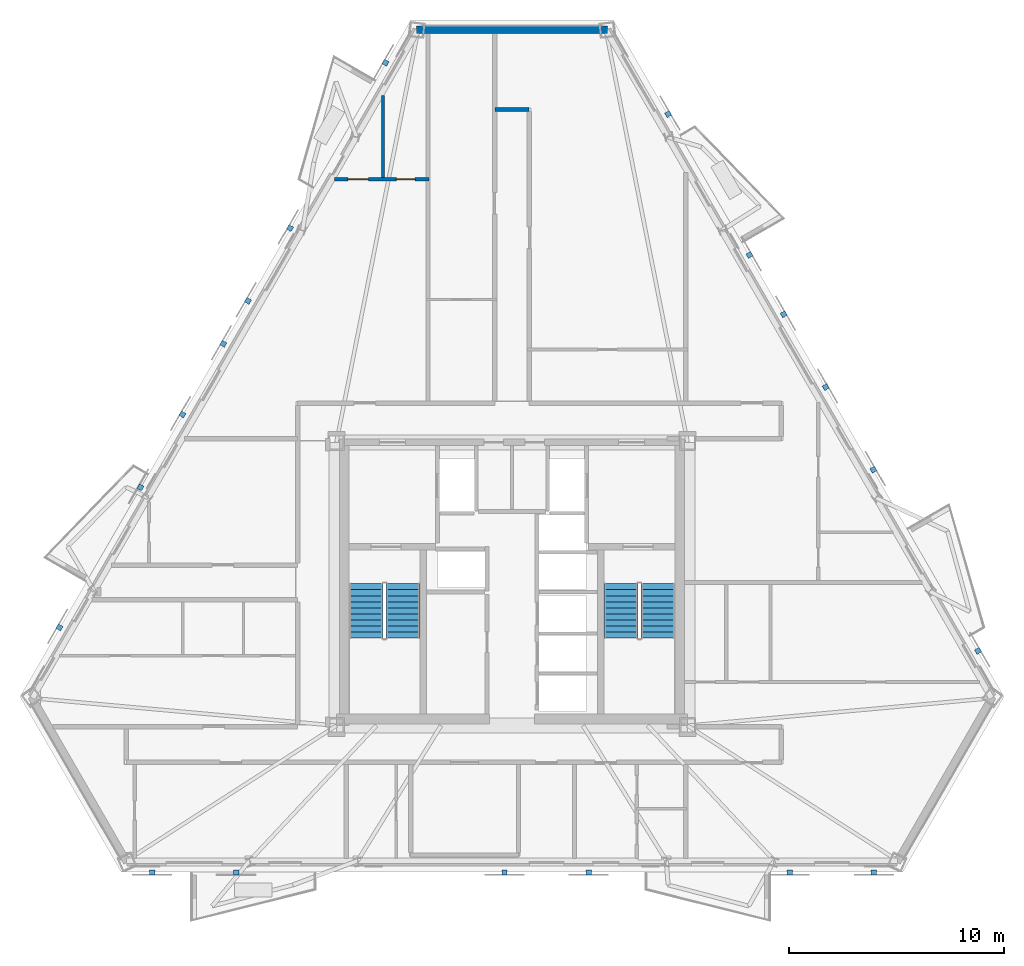
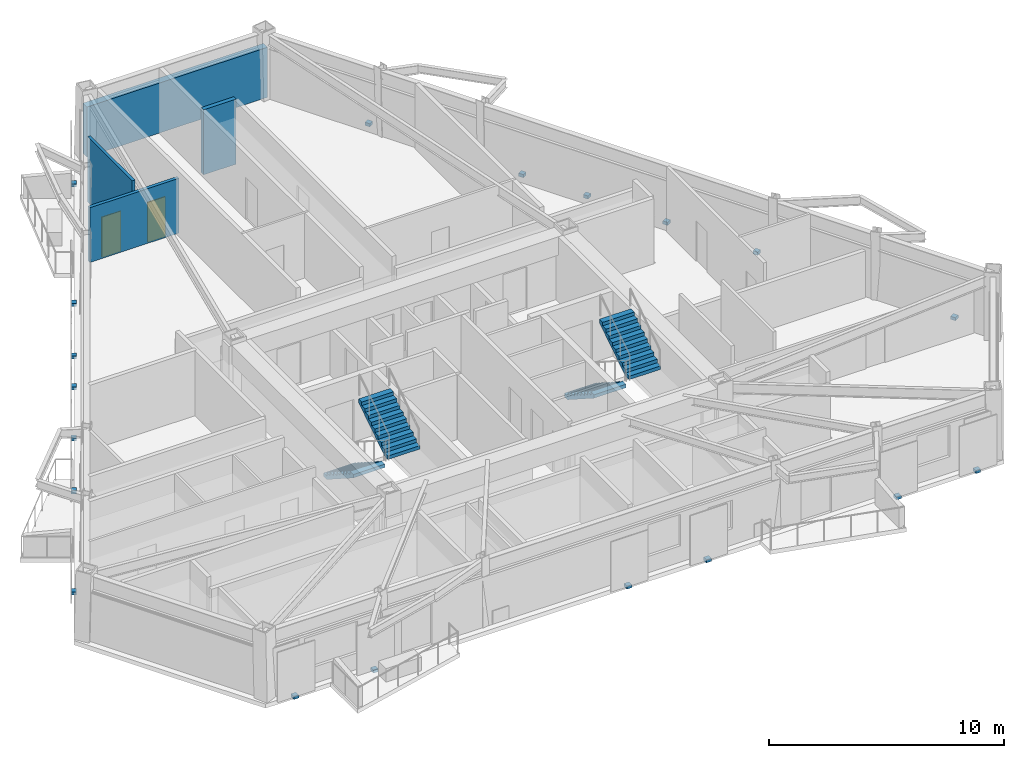
# One storey, part 6 of 9: 19 discrete accessories, 4 stair flights, 4 walls, 2 doors, 2 openings, 2 elements without a shape of their own.
"""IFC4 building model written with IfcOpenShell, lengths in metres."""

from ifc_helpers import new_model, si_unit, direction, frame, frame_2d, origin, origin_2d, place, context, subcontext, project, spatial, polyline, rectangle, outline, extrude, material, layer, layer_set, type_object, element, fill, aggregate, save


model = new_model("IFC4")

# Units and contexts
model_context = context("Model", 3, precision=1e-05, world=origin(), true_north=direction((0.0, 1.0)))
body_context = subcontext(model_context, "Body", "Model", "MODEL_VIEW")
ifc_project = project(units=[si_unit("LENGTHUNIT", "METRE"), si_unit("AREAUNIT", "SQUARE_METRE"), si_unit("VOLUMEUNIT", "CUBIC_METRE"), si_unit("PLANEANGLEUNIT", "RADIAN"), si_unit("MASSUNIT", "GRAM", prefix="KILO")], contexts=[model_context])

# Site, building, storey
site_placement = place(None, origin())
site = spatial("IfcSite", under=ifc_project, at=site_placement, CompositionType="ELEMENT")
building_placement = place(site_placement, origin())
building = spatial("IfcBuilding", under=site, at=building_placement, Name="Oramaril Tower", CompositionType="ELEMENT")
storey_placement = place(building_placement, frame((0.0, 0.0, 163.800048828125)))
storey = spatial("IfcBuildingStorey", under=building, at=storey_placement, Name="L43", CompositionType="ELEMENT", Elevation=163.800048828125)

# Walls
ifc_material_1 = material(Name="Warm Cream Limestone", Category="masonry")
ifc_layer_1 = layer(ifc_material_1, 0.340087890625)
ifc_layer_set_1 = layer_set([ifc_layer_1], Name="WT-EXT34")
wall_type_1 = type_object("IfcWallType", Name="WT-EXT34", PredefinedType="SOLIDWALL", material=ifc_layer_set_1)
wall_1_placement = place(storey_placement, frame((41.935302734375, 43.2939453125, 0.0), z_axis=(0.0, 0.0, 1.0), x_axis=(-1.0, 0.0, 0.0)))
element("IfcWall", 1, at=wall_1_placement, inside=storey, type_object=wall_type_1, Name="L43 Tower Limestone Facade Wall 5M", PredefinedType="SOLIDWALL", context=body_context, shape_type="SweptSolid", body=[
    extrude(rectangle(XDim=8.87060546875, YDim=0.340087890625, at=frame_2d((4.435302734375, 0.0))), origin(), (0.0, 0.0, 1.0), 2.599853515625),
])
ifc_material_2 = material(Name="Acoustic Gypsum Board Partition")
ifc_layer_2 = layer(ifc_material_2, 0.139892578125)
ifc_layer_set_2 = layer_set([ifc_layer_2], Name="WT-PT14")
wall_type_2 = type_object("IfcWallType", Name="WT-PT14", PredefinedType="PARTITIONING", material=ifc_layer_set_2)
wall_2_placement = place(storey_placement, frame((31.510009765625, 36.4541015625, 0.0), z_axis=(0.0, 0.0, 1.0), x_axis=(0.0, 1.0, 0.0)))
element("IfcWall", 2, at=wall_2_placement, inside=storey, type_object=wall_type_2, Name="L43 Interior Partition PT-14", PredefinedType="PARTITIONING", context=body_context, shape_type="SweptSolid", body=[
    extrude(rectangle(XDim=3.798828125, YDim=0.139892578125, at=frame_2d((1.8994140625, 0.0))), origin(), (0.0, 0.0, 1.0), 3.3798828125),
])

# Wall, openings, doors
ifc_material_3 = material(Name="Acoustic Gypsum Board Partition")
ifc_layer_3 = layer(ifc_material_3, 0.159912109375)
ifc_layer_set_3 = layer_set([ifc_layer_3], Name="WT-PT16")
wall_type_3 = type_object("IfcWallType", Name="WT-PT16", PredefinedType="PARTITIONING", material=ifc_layer_set_3)
wall_3_placement = place(storey_placement, frame((29.26806640625, 36.3701171875, 0.0), z_axis=(0.0, 0.0, 1.0), x_axis=(1.0, 0.0, 0.0)))
wall_3 = element("IfcWall", 3, at=wall_3_placement, inside=storey, type_object=wall_type_3, Name="L43 Interior Partition PT-16", PredefinedType="PARTITIONING", context=body_context, shape_type="SweptSolid", body=[
    extrude(rectangle(XDim=4.3818359375, YDim=0.159912109375, at=frame_2d((2.19091796875, 0.0))), origin(), (0.0, 0.0, 1.0), 2.842041015625),
])
opening_1_placement = place(wall_3_placement, frame((0.615234375, 0.0, 0.0)))
opening_1 = element("IfcOpeningElement", 4, at=opening_1_placement, cuts=wall_3, Name="Opening D-L43-18", PredefinedType="OPENING", context=body_context, shape_type="SweptSolid", body=[
    extrude(rectangle(XDim=0.949951171875, YDim=2.10009765625, at=frame_2d((0.47509765625, 1.050048828125))), frame((0.0, 0.080078125, 0.0), z_axis=(0.0, -1.0, 0.0), x_axis=(1.0, 0.0, 0.0)), (0.0, 0.0, 1.0), 0.159912109375),
])
opening_2_placement = place(wall_3_placement, frame((2.86083984375, 0.0, 0.0)))
opening_2 = element("IfcOpeningElement", 5, at=opening_2_placement, cuts=wall_3, Name="Opening D-L43-19", PredefinedType="OPENING", context=body_context, shape_type="SweptSolid", body=[
    extrude(rectangle(XDim=0.8798828125, YDim=2.080078125, at=frame_2d((0.43994140625, 1.0400390625))), frame((0.0, 0.080078125, 0.0), z_axis=(0.0, -1.0, 0.0), x_axis=(1.0, 0.0, 0.0)), (0.0, 0.0, 1.0), 0.159912109375),
])
ifc_material_4 = material(Name="FSC Brazilian Freijo Hardwood", Category="wood")
door_type_1 = type_object("IfcDoorType", Name="DT-BATH", OperationType="NOTDEFINED", PredefinedType="DOOR", material=ifc_material_4)
door_1_placement = place(opening_2_placement, origin())
door_1 = element("IfcDoor", 6, at=door_1_placement, inside=storey, type_object=door_type_1, Name="L43 Flat L43-U8 Bathroom Door D-L43-19", OperationType="SINGLE_SWING_LEFT", OverallHeight=2.080078125, OverallWidth=0.8798828125, PredefinedType="DOOR", context=body_context, shape_type="SweptSolid", body=[
    extrude(rectangle(XDim=0.8798828125, YDim=2.080078125, at=frame_2d((0.43994140625, 1.0400390625))), frame((0.0, 0.02490234375, 0.0), z_axis=(0.0, -1.0, 0.0), x_axis=(1.0, 0.0, 0.0)), (0.0, 0.0, 1.0), 0.050048828125),
])
fill(opening_2, door_1)
ifc_material_5 = material(Name="FSC Brazilian Freijo Hardwood", Category="wood")
door_type_2 = type_object("IfcDoorType", Name="DT-STDY", OperationType="NOTDEFINED", PredefinedType="DOOR", material=ifc_material_5)
door_2_placement = place(opening_1_placement, origin())
door_2 = element("IfcDoor", 7, at=door_2_placement, inside=storey, type_object=door_type_2, Name="L43 Flat L43-U8 Kitchen Door D-L43-18", OperationType="SINGLE_SWING_RIGHT", OverallHeight=2.10009765625, OverallWidth=0.949951171875, PredefinedType="DOOR", context=body_context, shape_type="SweptSolid", body=[
    extrude(rectangle(XDim=0.949951171875, YDim=2.10009765625, at=frame_2d((0.47509765625, 1.050048828125))), frame((0.0, 0.02490234375, 0.0), z_axis=(0.0, -1.0, 0.0), x_axis=(1.0, 0.0, 0.0)), (0.0, 0.0, 1.0), 0.050048828125),
])
fill(opening_1, door_2)

# Wall
ifc_material_6 = material(Name="Autoclaved Cellular Concrete Block", Category="concrete")
ifc_layer_4 = layer(ifc_material_6, 0.199951171875)
ifc_layer_set_4 = layer_set([ifc_layer_4], Name="WT-PT20")
wall_type_4 = type_object("IfcWallType", Name="WT-PT20", PredefinedType="PARTITIONING", material=ifc_layer_set_4)
wall_4_placement = place(storey_placement, frame((36.699951171875, 39.60009765625, 0.0), z_axis=(0.0, 0.0, 1.0), x_axis=(1.0, 0.0, 0.0)))
element("IfcWall", 8, at=wall_4_placement, inside=storey, type_object=wall_type_4, Name="L43 Interior Partition PT-20", PredefinedType="PARTITIONING", context=body_context, shape_type="SweptSolid", body=[
    extrude(rectangle(XDim=1.60009765625, YDim=0.199951171875, at=frame_2d((0.800048828125, 0.0))), origin(), (0.0, 0.0, 1.0), 3.3798828125),
])

# Stair, stair flights
ifc_material_7 = material(Name="Concrete C50/60", Category="concrete")
stair_type = type_object("IfcStairType", Name="STT-DG-3600", PredefinedType="HALF_TURN_STAIR", material=ifc_material_7)
stair_1_placement = place(storey_placement, origin())
stair_1 = element("IfcStair", 9, at=stair_1_placement, inside=storey, type_object=stair_type, Name="L43 Protected PFP Exit Stair ST-1", PredefinedType="HALF_TURN_STAIR")
ifc_material_8 = material(Name="Concrete C50/60", Category="concrete")
stair_flight_type = type_object("IfcStairFlightType", Name="SFT-DG-3600", PredefinedType="STRAIGHT", material=ifc_material_8)
stair_flight_1_placement = place(storey_placement, frame((30.72998046875, 17.590087890625, 0.0), z_axis=(0.0, 0.0, 1.0), x_axis=(0.0, -1.0, 0.0)))
stair_flight_1 = element("IfcStairFlight", 10, at=stair_flight_1_placement, type_object=stair_flight_type, Name="ST-1 flight 1", NumberOfRisers=10, NumberOfTreads=9, PredefinedType="STRAIGHT", RiserHeight=0.18, TreadLength=0.28, context=body_context, shape_type="SweptSolid", body=[
    extrude(outline(polyline([(0.0, 0.0), (0.0, 0.179931640625), (0.280029296875, 0.179931640625), (0.280029296875, 0.360107421875), (0.56005859375, 0.360107421875), (0.56005859375, 0.5400390625), (0.840087890625, 0.5400390625), (0.840087890625, 0.719970703125), (1.1201171875, 0.719970703125), (1.1201171875, 0.89990234375), (1.39990234375, 0.89990234375), (1.39990234375, 1.080078125), (1.679931640625, 1.080078125), (1.679931640625, 1.260009765625), (1.9599609375, 1.260009765625), (1.9599609375, 1.43994140625), (2.239990234375, 1.43994140625), (2.239990234375, 1.6201171875), (2.52001953125, 1.6201171875), (2.52001953125, 1.800048828125), (2.52001953125, 1.44189453125), (0.277099609375, 0.0), (0.0, 0.0)])), frame((0.0, 0.780029296875, 0.0), z_axis=(0.0, -1.0, 0.0), x_axis=(1.0, 0.0, 0.0)), (0.0, 0.0, 1.0), 1.56005859375),
])
stair_flight_2_placement = place(storey_placement, frame((32.43994140625, 15.070068359375, 1.800048828125), z_axis=(0.0, 0.0, 1.0), x_axis=(0.0, 1.0, 0.0)))
stair_flight_2 = element("IfcStairFlight", 11, at=stair_flight_2_placement, type_object=stair_flight_type, Name="ST-1 flight 2", NumberOfRisers=10, NumberOfTreads=9, PredefinedType="STRAIGHT", RiserHeight=0.18, TreadLength=0.28, context=body_context, shape_type="SweptSolid", body=[
    extrude(outline(polyline([(0.0, 0.0), (0.0, 0.179931640625), (0.280029296875, 0.179931640625), (0.280029296875, 0.360107421875), (0.56005859375, 0.360107421875), (0.56005859375, 0.5400390625), (0.840087890625, 0.5400390625), (0.840087890625, 0.719970703125), (1.1201171875, 0.719970703125), (1.1201171875, 0.89990234375), (1.39990234375, 0.89990234375), (1.39990234375, 1.080078125), (1.679931640625, 1.080078125), (1.679931640625, 1.260009765625), (1.9599609375, 1.260009765625), (1.9599609375, 1.43994140625), (2.239990234375, 1.43994140625), (2.239990234375, 1.6201171875), (2.52001953125, 1.6201171875), (2.52001953125, 1.800048828125), (2.52001953125, 1.44189453125), (0.277099609375, 0.0), (0.0, 0.0)])), frame((0.0, 0.780029296875, 0.0), z_axis=(0.0, -1.0, 0.0), x_axis=(1.0, 0.0, 0.0)), (0.0, 0.0, 1.0), 1.56005859375),
])
aggregate(stair_1, [stair_flight_1, stair_flight_2])

stair_2_placement = place(storey_placement, origin())
stair_2 = element("IfcStair", 12, at=stair_2_placement, inside=storey, type_object=stair_type, Name="L43 Protected PFP Exit Stair ST-2", PredefinedType="HALF_TURN_STAIR")
stair_flight_3_placement = place(storey_placement, frame((42.56005859375, 17.590087890625, 0.0), z_axis=(0.0, 0.0, 1.0), x_axis=(0.0, -1.0, 0.0)))
stair_flight_3 = element("IfcStairFlight", 13, at=stair_flight_3_placement, type_object=stair_flight_type, Name="ST-2 flight 1", NumberOfRisers=10, NumberOfTreads=9, PredefinedType="STRAIGHT", RiserHeight=0.18, TreadLength=0.28, context=body_context, shape_type="SweptSolid", body=[
    extrude(outline(polyline([(0.0, 0.0), (0.0, 0.179931640625), (0.280029296875, 0.179931640625), (0.280029296875, 0.360107421875), (0.56005859375, 0.360107421875), (0.56005859375, 0.5400390625), (0.840087890625, 0.5400390625), (0.840087890625, 0.719970703125), (1.1201171875, 0.719970703125), (1.1201171875, 0.89990234375), (1.39990234375, 0.89990234375), (1.39990234375, 1.080078125), (1.679931640625, 1.080078125), (1.679931640625, 1.260009765625), (1.9599609375, 1.260009765625), (1.9599609375, 1.43994140625), (2.239990234375, 1.43994140625), (2.239990234375, 1.6201171875), (2.52001953125, 1.6201171875), (2.52001953125, 1.800048828125), (2.52001953125, 1.44189453125), (0.277099609375, 0.0), (0.0, 0.0)])), frame((0.0, 0.780029296875, 0.0), z_axis=(0.0, -1.0, 0.0), x_axis=(1.0, 0.0, 0.0)), (0.0, 0.0, 1.0), 1.56005859375),
])
stair_flight_4_placement = place(storey_placement, frame((44.27001953125, 15.070068359375, 1.800048828125), z_axis=(0.0, 0.0, 1.0), x_axis=(0.0, 1.0, 0.0)))
stair_flight_4 = element("IfcStairFlight", 14, at=stair_flight_4_placement, type_object=stair_flight_type, Name="ST-2 flight 2", NumberOfRisers=10, NumberOfTreads=9, PredefinedType="STRAIGHT", RiserHeight=0.18, TreadLength=0.28, context=body_context, shape_type="SweptSolid", body=[
    extrude(outline(polyline([(0.0, 0.0), (0.0, 0.179931640625), (0.280029296875, 0.179931640625), (0.280029296875, 0.360107421875), (0.56005859375, 0.360107421875), (0.56005859375, 0.5400390625), (0.840087890625, 0.5400390625), (0.840087890625, 0.719970703125), (1.1201171875, 0.719970703125), (1.1201171875, 0.89990234375), (1.39990234375, 0.89990234375), (1.39990234375, 1.080078125), (1.679931640625, 1.080078125), (1.679931640625, 1.260009765625), (1.9599609375, 1.260009765625), (1.9599609375, 1.43994140625), (2.239990234375, 1.43994140625), (2.239990234375, 1.6201171875), (2.52001953125, 1.6201171875), (2.52001953125, 1.800048828125), (2.52001953125, 1.44189453125), (0.277099609375, 0.0), (0.0, 0.0)])), frame((0.0, 0.780029296875, 0.0), z_axis=(0.0, -1.0, 0.0), x_axis=(1.0, 0.0, 0.0)), (0.0, 0.0, 1.0), 1.56005859375),
])
aggregate(stair_2, [stair_flight_3, stair_flight_4])

# Discrete accessories
for number, where, z_axis, x_axis, name in (
    (15, (20.798828125, 4.181884765625, -0.14013671875), (0.0, 0.0, 1.0), (1.0, 0.0, 0.0), "L43 Solar Screen Slab Bracket"),
    (16, (24.69873046875, 4.181884765625, -0.14013671875), (0.0, 0.0, 1.0), (1.0, 0.0, 0.0), "L43 Solar Screen Slab Bracket"),
    (17, (37.1591796875, 4.181884765625, -0.14013671875), (0.0, 0.0, 1.0), (1.0, 0.0, 0.0), "L43 Solar Screen Slab Bracket"),
    (18, (41.05908203125, 4.181884765625, -0.14013671875), (0.0, 0.0, 1.0), (1.0, 0.0, 0.0), "L43 Solar Screen Slab Bracket"),
    (19, (50.39111328125, 4.181884765625, -0.14013671875), (0.0, 0.0, 1.0), (1.0, 0.0, 0.0), "L43 Solar Screen Slab Bracket"),
    (20, (54.291259765625, 4.181884765625, -0.14013671875), (0.0, 0.0, 1.0), (1.0, 0.0, 0.0), "L43 Solar Screen Slab Bracket"),
    (21, (59.1298828125, 14.4716796875, -0.14013671875), (0.0, 0.0, 1.0), (-0.5, 0.866025403784, 0.0), "L43 Solar Screen Slab Bracket"),
    (22, (52.06005859375, 26.71728515625, -0.14013671875), (0.0, 0.0, 1.0), (-0.5, 0.866025403784, 0.0), "L43 Solar Screen Slab Bracket"),
    (23, (50.110107421875, 30.094970703125, -0.14013671875), (0.0, 0.0, 1.0), (-0.5, 0.866025403784, 0.0), "L43 Solar Screen Slab Bracket"),
    (24, (48.52001953125, 32.84912109375, -0.14013671875), (0.0, 0.0, 1.0), (-0.5, 0.866025403784, 0.0), "L43 Solar Screen Slab Bracket"),
    (25, (54.273681640625, 22.8828125, -0.14013671875), (0.0, 0.0, 1.0), (-0.5, 0.866025403784, 0.0), "L43 Solar Screen Slab Bracket"),
    (26, (44.74755859375, 39.3828125, -0.14013671875), (0.0, 0.0, 1.0), (-0.5, 0.866025403784, 0.0), "L43 Solar Screen Slab Bracket"),
    (27, (16.5, 15.562744140625, -0.14013671875), (0.0, 0.0, 1.0), (-0.5, -0.866025403784, 0.0), "L43 Solar Screen Slab Bracket"),
    (28, (22.204345703125, 25.443359375, -0.14013671875), (0.0, 0.0, 1.0), (-0.5, -0.866025403784, 0.0), "L43 Solar Screen Slab Bracket"),
    (29, (20.25439453125, 22.06591796875, -0.14013671875), (0.0, 0.0, 1.0), (-0.5, -0.866025403784, 0.0), "L43 Solar Screen Slab Bracket"),
    (30, (27.198486328125, 34.09326171875, -0.14013671875), (0.0, 0.0, 1.0), (-0.5, -0.866025403784, 0.0), "L43 Solar Screen Slab Bracket"),
    (31, (25.24853515625, 30.7158203125, -0.14013671875), (0.0, 0.0, 1.0), (-0.5, -0.866025403784, 0.0), "L43 Solar Screen Slab Bracket"),
    (32, (24.10009765625, 28.726806640625, -0.14013671875), (0.0, 0.0, 1.0), (-0.5, -0.866025403784, 0.0), "L43 Solar Screen Slab Bracket"),
    (33, (31.62939453125, 41.76806640625, -0.14013671875), (0.0, 0.0, 1.0), (-0.5, -0.866025403784, 0.0), "L43 Solar Screen Slab Bracket"),
):
    element("IfcDiscreteAccessory", number, at=place(storey_placement, frame(where, z_axis=z_axis, x_axis=x_axis)), inside=storey, Name=name, PredefinedType="BRACKET", context=body_context, shape_type="SweptSolid", body=[
        extrude(rectangle(XDim=0.239990234375, YDim=0.239990234375, at=origin_2d()), origin(), (0.0, 0.0, 1.0), 0.159912109375),
    ])

save(model, "model.ifc")
